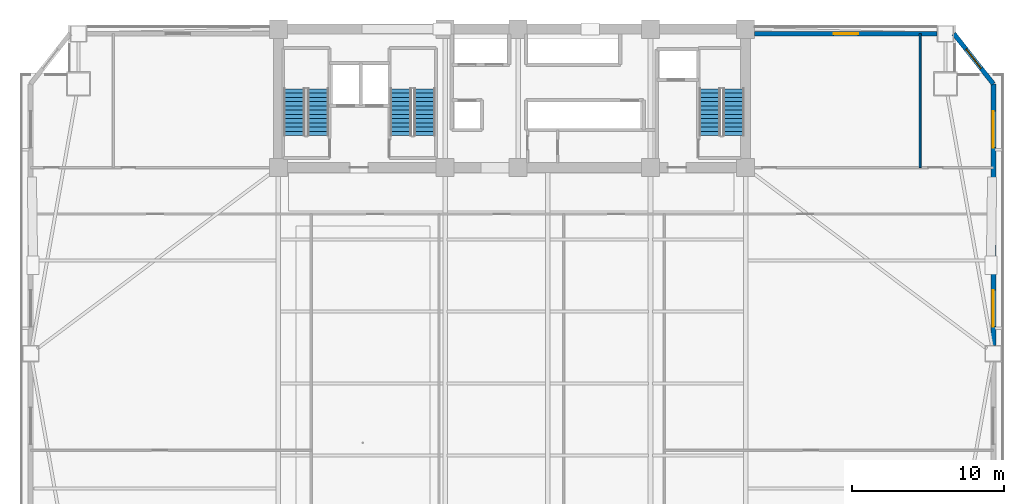
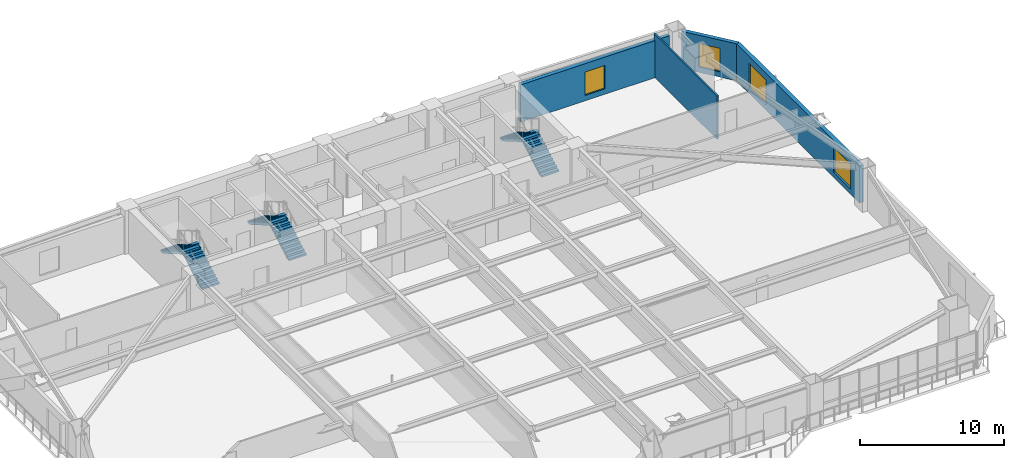
# One storey, part 11 of 17: 6 stair flights, 4 walls, 4 windows, 4 openings, 3 elements without a shape of their own.
"""IFC4 building model written with IfcOpenShell, lengths in metres."""

from ifc_helpers import new_model, si_unit, direction, frame, frame_2d, origin, place, context, subcontext, project, spatial, polyline, rectangle, outline, extrude, source, transform, mapped, material, layer, layer_set, type_object, element, fill, aggregate, save


model = new_model("IFC4")

# Units and contexts
model_context = context("Model", 3, precision=1e-05, world=origin(), true_north=direction((0.0, 1.0)))
body_context = subcontext(model_context, "Body", "Model", "MODEL_VIEW")
ifc_project = project(units=[si_unit("LENGTHUNIT", "METRE"), si_unit("AREAUNIT", "SQUARE_METRE"), si_unit("VOLUMEUNIT", "CUBIC_METRE"), si_unit("PLANEANGLEUNIT", "RADIAN"), si_unit("MASSUNIT", "GRAM", prefix="KILO")], contexts=[model_context])

# Site, building, storey
site_placement = place(None, origin())
site = spatial("IfcSite", under=ifc_project, at=site_placement, CompositionType="ELEMENT")
building_placement = place(site_placement, origin())
building = spatial("IfcBuilding", under=site, at=building_placement, Name="Giltprow Tower", CompositionType="ELEMENT")
storey_placement = place(building_placement, frame((0.0, 0.0, 53.300048828125)))
storey = spatial("IfcBuildingStorey", under=building, at=storey_placement, Name="L13", CompositionType="ELEMENT", Elevation=53.300048828125)

# Wall, opening, window
ifc_material_1 = material(Name="Precast concrete C40", Category="concrete")
ifc_layer_1 = layer(ifc_material_1, 0.300048828125, Name="Precast concrete C40")
ifc_layer_set_1 = layer_set([ifc_layer_1], Name="Precast concrete C40")
wall_type_1 = type_object("IfcWallType", Name="EW-NOTCH-CHAMFER-300", PredefinedType="SOLIDWALL", material=ifc_layer_set_1)
wall_1_placement = place(storey_placement, frame((66.830078125, 42.951904296875, 0.0), z_axis=(0.0, 0.0, 1.0), x_axis=(-0.618820039529, 0.785532786507, 0.0)))
wall_1 = element("IfcWall", 1, at=wall_1_placement, inside=storey, type_object=wall_type_1, Name="L13 Corner Notch Wall NE", PredefinedType="SOLIDWALL", context=body_context, shape_type="SweptSolid", body=[
    extrude(rectangle(XDim=4.198486328125, YDim=0.300048828125, at=frame_2d((2.09912109375, 0.0))), origin(), (0.0, 0.0, 1.0), 3.159912109375),
])
opening_1_placement = place(wall_1_placement, frame((1.299072265625, 0.0, 0.449951171875)))
opening_1 = element("IfcOpeningElement", 2, at=opening_1_placement, cuts=wall_1, Name="Opening WN17", PredefinedType="OPENING", context=body_context, shape_type="SweptSolid", body=[
    extrude(rectangle(XDim=1.60009765625, YDim=2.0, at=frame_2d((0.800048828125, 1.0))), frame((0.0, 0.159912109375, 0.0), z_axis=(0.0, -1.0, 0.0), x_axis=(1.0, 0.0, 0.0)), (0.0, 0.0, 1.0), 0.320068359375),
])
ifc_material_2 = material(Name="Insulated glass", Category="glass")
window_type_1 = type_object("IfcWindowType", Name="WN-COR-1600x2000", PartitioningType="SINGLE_PANEL", PredefinedType="WINDOW", material=ifc_material_2)
shared_shape_1 = source(origin(), body_context, "Body", "SweptSolid", [
    extrude(rectangle(XDim=1.60009765625, YDim=2.0, at=frame_2d((0.800048828125, 1.0))), frame((0.0, 0.030029296875, 0.0), z_axis=(0.0, -1.0, 0.0), x_axis=(1.0, 0.0, 0.0)), (0.0, 0.0, 1.0), 0.06005859375),
])
window_1_placement = place(opening_1_placement, origin())
window_1 = element("IfcWindow", 3, at=window_1_placement, inside=storey, type_object=window_type_1, Name="L13 Corner Notch Window NE", OverallHeight=2.0, OverallWidth=1.60009765625, PartitioningType="SINGLE_PANEL", PredefinedType="WINDOW", context=body_context, shape_type="MappedRepresentation", body=[
    mapped(shared_shape_1, transform((0.0, 0.0, 0.0), x_axis=(1.0, 0.0, 0.0), y_axis=(0.0, 1.0, 0.0), z_axis=(0.0, 0.0, 1.0), scale=1.0)),
])
fill(opening_1, window_1)

# Wall, openings, windows
ifc_layer_2 = layer(ifc_material_1, 0.320068359375, Name="Precast concrete C40")
ifc_layer_set_2 = layer_set([ifc_layer_2], Name="Precast concrete C40")
wall_type_2 = type_object("IfcWallType", Name="EW-TOW-STONE-320", PredefinedType="SOLIDWALL", material=ifc_layer_set_2)
wall_2_placement = place(storey_placement, frame((66.830078125, 25.777099609375, 0.0), z_axis=(0.0, 0.0, 1.0), x_axis=(0.0, 1.0, 0.0)))
wall_2 = element("IfcWall", 4, at=wall_2_placement, inside=storey, type_object=wall_type_2, Name="L13 E Wing Masonry Wall 2", PredefinedType="SOLIDWALL", context=body_context, shape_type="SweptSolid", body=[
    extrude(rectangle(XDim=17.1748046875, YDim=0.320068359375, at=frame_2d((8.58740234375, 0.0))), origin(), (0.0, 0.0, 1.0), 3.159912109375),
])
opening_2_placement = place(wall_2_placement, frame((1.22509765625, 0.0, 0.449951171875)))
opening_2 = element("IfcOpeningElement", 5, at=opening_2_placement, cuts=wall_2, Name="Opening WN29", PredefinedType="OPENING", context=body_context, shape_type="SweptSolid", body=[
    extrude(rectangle(XDim=2.39990234375, YDim=2.10009765625, at=frame_2d((1.199951171875, 1.050048828125))), frame((0.0, 0.169921875, 0.0), z_axis=(0.0, -1.0, 0.0), x_axis=(1.0, 0.0, 0.0)), (0.0, 0.0, 1.0), 0.340087890625),
])
opening_3_placement = place(wall_2_placement, frame((12.98095703125, 0.0, 0.449951171875)))
opening_3 = element("IfcOpeningElement", 6, at=opening_3_placement, cuts=wall_2, Name="Opening WN29", PredefinedType="OPENING", context=body_context, shape_type="SweptSolid", body=[
    extrude(rectangle(XDim=2.39990234375, YDim=2.10009765625, at=frame_2d((1.199951171875, 1.050048828125))), frame((0.0, 0.169921875, 0.0), z_axis=(0.0, -1.0, 0.0), x_axis=(1.0, 0.0, 0.0)), (0.0, 0.0, 1.0), 0.340087890625),
])
window_type_2 = type_object("IfcWindowType", Name="WN-OFF-2400x2100", PartitioningType="DOUBLE_PANEL_VERTICAL", PredefinedType="WINDOW", material=ifc_material_2)
shared_shape_2 = source(origin(), body_context, "Body", "SweptSolid", [
    extrude(rectangle(XDim=2.39990234375, YDim=2.10009765625, at=frame_2d((1.199951171875, 1.050048828125))), frame((0.0, 0.030029296875, 0.0), z_axis=(0.0, -1.0, 0.0), x_axis=(1.0, 0.0, 0.0)), (0.0, 0.0, 1.0), 0.06005859375),
])
window_2_placement = place(opening_2_placement, origin())
window_2 = element("IfcWindow", 7, at=window_2_placement, inside=storey, type_object=window_type_2, Name="L13 E Wing Window 2-1", OverallHeight=2.10009765625, OverallWidth=2.39990234375, PartitioningType="SINGLE_PANEL", PredefinedType="WINDOW", context=body_context, shape_type="MappedRepresentation", body=[
    mapped(shared_shape_2, transform((0.0, 0.0, 0.0), x_axis=(1.0, 0.0, 0.0), y_axis=(0.0, 1.0, 0.0), z_axis=(0.0, 0.0, 1.0), scale=1.0)),
])
fill(opening_2, window_2)
window_3_placement = place(opening_3_placement, origin())
window_3 = element("IfcWindow", 8, at=window_3_placement, inside=storey, type_object=window_type_2, Name="L13 E Wing Window 2-2", OverallHeight=2.10009765625, OverallWidth=2.39990234375, PartitioningType="SINGLE_PANEL", PredefinedType="WINDOW", context=body_context, shape_type="MappedRepresentation", body=[
    mapped(shared_shape_2, transform((0.0, 0.0, 0.0), x_axis=(1.0, 0.0, 0.0), y_axis=(0.0, 1.0, 0.0), z_axis=(0.0, 0.0, 1.0), scale=1.0)),
])
fill(opening_3, window_3)

# Wall, opening, window
wall_3_placement = place(storey_placement, frame((51.14990234375, 46.25, 0.0), z_axis=(0.0, 0.0, 1.0), x_axis=(1.0, 0.0, 0.0)))
wall_3 = element("IfcWall", 9, at=wall_3_placement, inside=storey, type_object=wall_type_2, Name="L13 North-East Wing Wall", PredefinedType="SOLIDWALL", context=body_context, shape_type="SweptSolid", body=[
    extrude(rectangle(XDim=11.982177734375, YDim=0.320068359375, at=frame_2d((5.9912109375, 0.0))), origin(), (0.0, 0.0, 1.0), 3.159912109375),
])
opening_4_placement = place(wall_3_placement, frame((5.19091796875, 0.0, 0.449951171875)))
opening_4 = element("IfcOpeningElement", 10, at=opening_4_placement, cuts=wall_3, Name="Opening WN17", PredefinedType="OPENING", context=body_context, shape_type="SweptSolid", body=[
    extrude(rectangle(XDim=1.60009765625, YDim=2.0, at=frame_2d((0.800048828125, 1.0))), frame((0.0, 0.169921875, 0.0), z_axis=(0.0, -1.0, 0.0), x_axis=(1.0, 0.0, 0.0)), (0.0, 0.0, 1.0), 0.340087890625),
])
window_4_placement = place(opening_4_placement, origin())
window_4 = element("IfcWindow", 11, at=window_4_placement, inside=storey, type_object=window_type_1, Name="L13 North-East Window", OverallHeight=2.0, OverallWidth=1.60009765625, PartitioningType="SINGLE_PANEL", PredefinedType="WINDOW", context=body_context, shape_type="MappedRepresentation", body=[
    mapped(shared_shape_1, transform((0.0, 0.0, 0.0), x_axis=(1.0, 0.0, 0.0), y_axis=(0.0, 1.0, 0.0), z_axis=(0.0, 0.0, 1.0), scale=1.0)),
])
fill(opening_4, window_4)

# Wall
ifc_material_3 = material(Name="Concrete C30", Category="concrete")
ifc_layer_3 = layer(ifc_material_3, 0.1298828125, Name="Concrete C30")
ifc_layer_set_3 = layer_set([ifc_layer_3], Name="Concrete C30")
wall_type_3 = type_object("IfcWallType", Name="IW-WET-130", PredefinedType="PARTITIONING", material=ifc_layer_set_3)
wall_4_placement = place(storey_placement, frame((62.01611328125, 37.449951171875, 0.0), z_axis=(0.0, 0.0, 1.0), x_axis=(0.0, 1.0, 0.0)))
element("IfcWall", 12, at=wall_4_placement, inside=storey, type_object=wall_type_3, Name="L13 NE Wing Divider", PredefinedType="PARTITIONING", context=body_context, shape_type="SweptSolid", body=[
    extrude(rectangle(XDim=8.800048828125, YDim=0.1298828125, at=frame_2d((4.39990234375, 0.0))), origin(), (0.0, 0.0, 1.0), 3.679931640625),
])

# Stair, stair flights
ifc_material_4 = material(Name="Concrete C40", Category="concrete")
stair_type_1 = type_object("IfcStairType", Name="STR-ST-1", PredefinedType="HALF_TURN_STAIR", material=ifc_material_4)
stair_1_placement = place(storey_placement, origin())
stair_1 = element("IfcStair", 13, at=stair_1_placement, inside=storey, type_object=stair_type_1, Name="L13 Core Exit Stair ST-1", PredefinedType="HALF_TURN_STAIR")
stair_flight_type_1 = type_object("IfcStairFlightType", Name="SFL-ST-1", PredefinedType="STRAIGHT", material=ifc_material_4)
stair_flight_1_placement = place(storey_placement, frame((22.4599609375, 39.550048828125, 0.0), z_axis=(0.0, 0.0, 1.0), x_axis=(0.0, 1.0, 0.0)))
stair_flight_1 = element("IfcStairFlight", 14, at=stair_flight_1_placement, type_object=stair_flight_type_1, Name="ST-1 flight 1", NumberOfRisers=12, NumberOfTreads=11, PredefinedType="STRAIGHT", RiserHeight=0.1625, TreadLength=0.28, context=body_context, shape_type="SweptSolid", body=[
    extrude(outline(polyline([(0.0, 0.0), (0.0, 0.16259765625), (0.280029296875, 0.16259765625), (0.280029296875, 0.324951171875), (0.56005859375, 0.324951171875), (0.56005859375, 0.487548828125), (0.840087890625, 0.487548828125), (0.840087890625, 0.64990234375), (1.1201171875, 0.64990234375), (1.1201171875, 0.8125), (1.39990234375, 0.8125), (1.39990234375, 0.97509765625), (1.679931640625, 0.97509765625), (1.679931640625, 1.137451171875), (1.9599609375, 1.137451171875), (1.9599609375, 1.300048828125), (2.239990234375, 1.300048828125), (2.239990234375, 1.46240234375), (2.52001953125, 1.46240234375), (2.52001953125, 1.625), (2.800048828125, 1.625), (2.800048828125, 1.78759765625), (3.080078125, 1.78759765625), (3.080078125, 1.949951171875), (3.080078125, 1.6142578125), (0.298583984375, 0.0), (0.0, 0.0)])), frame((0.0, 0.699951171875, 0.0), z_axis=(0.0, -1.0, 0.0), x_axis=(1.0, 0.0, 0.0)), (0.0, 0.0, 1.0), 1.39990234375),
])
stair_flight_2_placement = place(storey_placement, frame((20.89990234375, 42.6298828125, 1.949951171875), z_axis=(0.0, 0.0, 1.0), x_axis=(0.0, -1.0, 0.0)))
stair_flight_2 = element("IfcStairFlight", 15, at=stair_flight_2_placement, type_object=stair_flight_type_1, Name="ST-1 flight 2", NumberOfRisers=12, NumberOfTreads=11, PredefinedType="STRAIGHT", RiserHeight=0.1625, TreadLength=0.28, context=body_context, shape_type="SweptSolid", body=[
    extrude(outline(polyline([(0.0, 0.0), (0.0, 0.16259765625), (0.280029296875, 0.16259765625), (0.280029296875, 0.324951171875), (0.56005859375, 0.324951171875), (0.56005859375, 0.487548828125), (0.840087890625, 0.487548828125), (0.840087890625, 0.64990234375), (1.1201171875, 0.64990234375), (1.1201171875, 0.8125), (1.39990234375, 0.8125), (1.39990234375, 0.97509765625), (1.679931640625, 0.97509765625), (1.679931640625, 1.137451171875), (1.9599609375, 1.137451171875), (1.9599609375, 1.300048828125), (2.239990234375, 1.300048828125), (2.239990234375, 1.46240234375), (2.52001953125, 1.46240234375), (2.52001953125, 1.625), (2.800048828125, 1.625), (2.800048828125, 1.78759765625), (3.080078125, 1.78759765625), (3.080078125, 1.949951171875), (3.080078125, 1.6142578125), (0.298583984375, 0.0), (0.0, 0.0)])), frame((0.0, 0.699951171875, 0.0), z_axis=(0.0, -1.0, 0.0), x_axis=(1.0, 0.0, 0.0)), (0.0, 0.0, 1.0), 1.39990234375),
])
aggregate(stair_1, [stair_flight_1, stair_flight_2])

stair_type_2 = type_object("IfcStairType", Name="STR-ST-2", PredefinedType="HALF_TURN_STAIR", material=ifc_material_4)
stair_2_placement = place(storey_placement, origin())
stair_2 = element("IfcStair", 16, at=stair_2_placement, inside=storey, type_object=stair_type_2, Name="L13 Core Exit Stair ST-2", PredefinedType="HALF_TURN_STAIR")
stair_flight_type_2 = type_object("IfcStairFlightType", Name="SFL-ST-2", PredefinedType="STRAIGHT", material=ifc_material_4)
stair_flight_3_placement = place(storey_placement, frame((29.4599609375, 39.550048828125, 0.0), z_axis=(0.0, 0.0, 1.0), x_axis=(0.0, 1.0, 0.0)))
stair_flight_3 = element("IfcStairFlight", 17, at=stair_flight_3_placement, type_object=stair_flight_type_2, Name="ST-2 flight 1", NumberOfRisers=12, NumberOfTreads=11, PredefinedType="STRAIGHT", RiserHeight=0.1625, TreadLength=0.28, context=body_context, shape_type="SweptSolid", body=[
    extrude(outline(polyline([(0.0, 0.0), (0.0, 0.16259765625), (0.280029296875, 0.16259765625), (0.280029296875, 0.324951171875), (0.56005859375, 0.324951171875), (0.56005859375, 0.487548828125), (0.840087890625, 0.487548828125), (0.840087890625, 0.64990234375), (1.1201171875, 0.64990234375), (1.1201171875, 0.8125), (1.39990234375, 0.8125), (1.39990234375, 0.97509765625), (1.679931640625, 0.97509765625), (1.679931640625, 1.137451171875), (1.9599609375, 1.137451171875), (1.9599609375, 1.300048828125), (2.239990234375, 1.300048828125), (2.239990234375, 1.46240234375), (2.52001953125, 1.46240234375), (2.52001953125, 1.625), (2.800048828125, 1.625), (2.800048828125, 1.78759765625), (3.080078125, 1.78759765625), (3.080078125, 1.949951171875), (3.080078125, 1.6142578125), (0.298583984375, 0.0), (0.0, 0.0)])), frame((0.0, 0.699951171875, 0.0), z_axis=(0.0, -1.0, 0.0), x_axis=(1.0, 0.0, 0.0)), (0.0, 0.0, 1.0), 1.39990234375),
])
stair_flight_4_placement = place(storey_placement, frame((27.89990234375, 42.6298828125, 1.949951171875), z_axis=(0.0, 0.0, 1.0), x_axis=(0.0, -1.0, 0.0)))
stair_flight_4 = element("IfcStairFlight", 18, at=stair_flight_4_placement, type_object=stair_flight_type_2, Name="ST-2 flight 2", NumberOfRisers=12, NumberOfTreads=11, PredefinedType="STRAIGHT", RiserHeight=0.1625, TreadLength=0.28, context=body_context, shape_type="SweptSolid", body=[
    extrude(outline(polyline([(0.0, 0.0), (0.0, 0.16259765625), (0.280029296875, 0.16259765625), (0.280029296875, 0.324951171875), (0.56005859375, 0.324951171875), (0.56005859375, 0.487548828125), (0.840087890625, 0.487548828125), (0.840087890625, 0.64990234375), (1.1201171875, 0.64990234375), (1.1201171875, 0.8125), (1.39990234375, 0.8125), (1.39990234375, 0.97509765625), (1.679931640625, 0.97509765625), (1.679931640625, 1.137451171875), (1.9599609375, 1.137451171875), (1.9599609375, 1.300048828125), (2.239990234375, 1.300048828125), (2.239990234375, 1.46240234375), (2.52001953125, 1.46240234375), (2.52001953125, 1.625), (2.800048828125, 1.625), (2.800048828125, 1.78759765625), (3.080078125, 1.78759765625), (3.080078125, 1.949951171875), (3.080078125, 1.6142578125), (0.298583984375, 0.0), (0.0, 0.0)])), frame((0.0, 0.699951171875, 0.0), z_axis=(0.0, -1.0, 0.0), x_axis=(1.0, 0.0, 0.0)), (0.0, 0.0, 1.0), 1.39990234375),
])
aggregate(stair_2, [stair_flight_3, stair_flight_4])

stair_type_3 = type_object("IfcStairType", Name="STR-ST-3", PredefinedType="HALF_TURN_STAIR", material=ifc_material_4)
stair_3_placement = place(storey_placement, origin())
stair_3 = element("IfcStair", 19, at=stair_3_placement, inside=storey, type_object=stair_type_3, Name="L13 Core Exit Stair ST-3", PredefinedType="HALF_TURN_STAIR")
stair_flight_type_3 = type_object("IfcStairFlightType", Name="SFL-ST-3", PredefinedType="STRAIGHT", material=ifc_material_4)
stair_flight_5_placement = place(storey_placement, frame((49.760009765625, 39.550048828125, 0.0), z_axis=(0.0, 0.0, 1.0), x_axis=(0.0, 1.0, 0.0)))
stair_flight_5 = element("IfcStairFlight", 20, at=stair_flight_5_placement, type_object=stair_flight_type_3, Name="ST-3 flight 1", NumberOfRisers=12, NumberOfTreads=11, PredefinedType="STRAIGHT", RiserHeight=0.1625, TreadLength=0.28, context=body_context, shape_type="SweptSolid", body=[
    extrude(outline(polyline([(0.0, 0.0), (0.0, 0.16259765625), (0.280029296875, 0.16259765625), (0.280029296875, 0.324951171875), (0.56005859375, 0.324951171875), (0.56005859375, 0.487548828125), (0.840087890625, 0.487548828125), (0.840087890625, 0.64990234375), (1.1201171875, 0.64990234375), (1.1201171875, 0.8125), (1.39990234375, 0.8125), (1.39990234375, 0.97509765625), (1.679931640625, 0.97509765625), (1.679931640625, 1.137451171875), (1.9599609375, 1.137451171875), (1.9599609375, 1.300048828125), (2.239990234375, 1.300048828125), (2.239990234375, 1.46240234375), (2.52001953125, 1.46240234375), (2.52001953125, 1.625), (2.800048828125, 1.625), (2.800048828125, 1.78759765625), (3.080078125, 1.78759765625), (3.080078125, 1.949951171875), (3.080078125, 1.6142578125), (0.298583984375, 0.0), (0.0, 0.0)])), frame((0.0, 0.699951171875, 0.0), z_axis=(0.0, -1.0, 0.0), x_axis=(1.0, 0.0, 0.0)), (0.0, 0.0, 1.0), 1.39990234375),
])
stair_flight_6_placement = place(storey_placement, frame((48.199951171875, 42.6298828125, 1.949951171875), z_axis=(0.0, 0.0, 1.0), x_axis=(0.0, -1.0, 0.0)))
stair_flight_6 = element("IfcStairFlight", 21, at=stair_flight_6_placement, type_object=stair_flight_type_3, Name="ST-3 flight 2", NumberOfRisers=12, NumberOfTreads=11, PredefinedType="STRAIGHT", RiserHeight=0.1625, TreadLength=0.28, context=body_context, shape_type="SweptSolid", body=[
    extrude(outline(polyline([(0.0, 0.0), (0.0, 0.16259765625), (0.280029296875, 0.16259765625), (0.280029296875, 0.324951171875), (0.56005859375, 0.324951171875), (0.56005859375, 0.487548828125), (0.840087890625, 0.487548828125), (0.840087890625, 0.64990234375), (1.1201171875, 0.64990234375), (1.1201171875, 0.8125), (1.39990234375, 0.8125), (1.39990234375, 0.97509765625), (1.679931640625, 0.97509765625), (1.679931640625, 1.137451171875), (1.9599609375, 1.137451171875), (1.9599609375, 1.300048828125), (2.239990234375, 1.300048828125), (2.239990234375, 1.46240234375), (2.52001953125, 1.46240234375), (2.52001953125, 1.625), (2.800048828125, 1.625), (2.800048828125, 1.78759765625), (3.080078125, 1.78759765625), (3.080078125, 1.949951171875), (3.080078125, 1.6142578125), (0.298583984375, 0.0), (0.0, 0.0)])), frame((0.0, 0.699951171875, 0.0), z_axis=(0.0, -1.0, 0.0), x_axis=(1.0, 0.0, 0.0)), (0.0, 0.0, 1.0), 1.39990234375),
])
aggregate(stair_3, [stair_flight_5, stair_flight_6])

save(model, "model.ifc")
